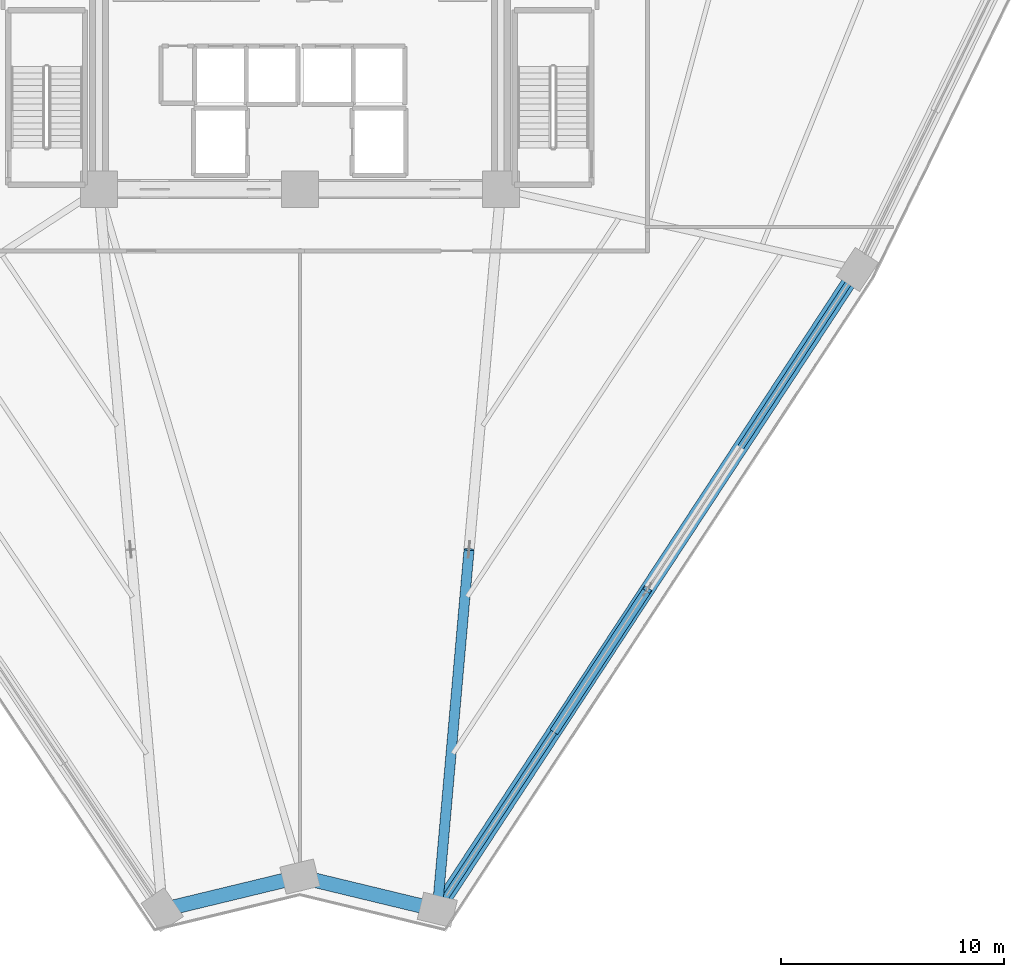
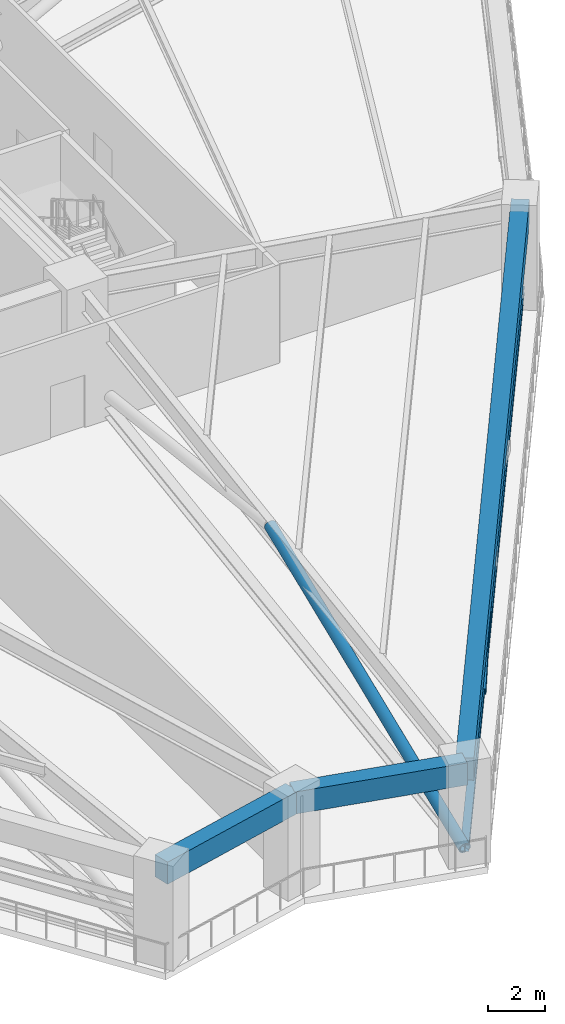
# One storey, part 3 of 25: 3 beams, 3 members.
"""IFC4 building model written with IfcOpenShell, lengths in metres."""

from ifc_helpers import new_model, si_unit, direction, frame, origin, origin_2d, place, context, subcontext, project, spatial, rectangle, hollow_rectangle, hollow_circle, i_section, extrude, source, transform, mapped, material, material_profile, profile_set, type_object, element, save


model = new_model("IFC4")

# Units and contexts
model_context = context("Model", 3, precision=1e-05, world=origin(), true_north=direction((0.0, 1.0)))
body_context = subcontext(model_context, "Body", "Model", "MODEL_VIEW")
ifc_project = project(units=[si_unit("LENGTHUNIT", "METRE"), si_unit("AREAUNIT", "SQUARE_METRE"), si_unit("VOLUMEUNIT", "CUBIC_METRE"), si_unit("PLANEANGLEUNIT", "RADIAN"), si_unit("MASSUNIT", "GRAM", prefix="KILO")], contexts=[model_context])

# Site, building, storey
site_placement = place(None, origin())
site = spatial("IfcSite", under=ifc_project, at=site_placement, CompositionType="ELEMENT")
building_placement = place(site_placement, origin())
building = spatial("IfcBuilding", under=site, at=building_placement, Name="Liaohun Quay Tower", CompositionType="ELEMENT")
storey_placement = place(building_placement, frame((0.0, 0.0, 93.0)))
storey = spatial("IfcBuildingStorey", under=building, at=storey_placement, Name="L24", CompositionType="ELEMENT", Elevation=93.0)

# Beams
ifc_material_1 = material(Name="Precast concrete C55", Category="concrete")
ifc_material_profile_1 = material_profile(ifc_material_1, rectangle(XDim=0.64990234375, YDim=0.949951171875, at=origin_2d()), Name="RC650x950")
ifc_profile_set_1 = profile_set([ifc_material_profile_1], Name="Precast concrete C55")
beam_type = type_object("IfcBeamType", Name="BM-SPD-Z1", PredefinedType="SPANDREL", material=ifc_profile_set_1)
shared_shape_1 = source(origin(), body_context, "Body", "SweptSolid", [
    extrude(rectangle(XDim=0.64990234375, YDim=0.949951171875, at=origin_2d()), origin(), (0.0, 0.0, 1.0), 34.297607421875),
])
beam_1_placement = place(storey_placement, frame((84.967041015625, 42.906982421875, 3.7451171875), z_axis=(-0.548495192784, -0.836153708054, 0.0), x_axis=(0.836153708054, -0.548495192784, 0.0)))
element("IfcBeam", 1, at=beam_1_placement, inside=storey, type_object=beam_type, Name="L24 Precast Spandrel Beam PC10-PC11", PredefinedType="SPANDREL", context=body_context, shape_type="MappedRepresentation", body=[
    mapped(shared_shape_1, transform((0.0, 0.0, 0.0), x_axis=(1.0, 0.0, 0.0), y_axis=(0.0, 1.0, 0.0), z_axis=(0.0, 0.0, 1.0), scale=1.0)),
])
shared_shape_2 = source(origin(), body_context, "Body", "SweptSolid", [
    extrude(rectangle(XDim=0.64990234375, YDim=0.949951171875, at=origin_2d()), origin(), (0.0, 0.0, 1.0), 6.331787109375),
])
beam_2_placement = place(storey_placement, frame((66.155029296875, 14.22900390625, 3.7451171875), z_axis=(-0.972068256908, 0.234698325326, 0.0), x_axis=(-0.234698325326, -0.972068256908, 0.0)))
element("IfcBeam", 2, at=beam_2_placement, inside=storey, type_object=beam_type, Name="L24 Precast Spandrel Beam PC11-PC12", PredefinedType="SPANDREL", context=body_context, shape_type="MappedRepresentation", body=[
    mapped(shared_shape_2, transform((0.0, 0.0, 0.0), x_axis=(1.0, 0.0, 0.0), y_axis=(0.0, 1.0, 0.0), z_axis=(0.0, 0.0, 1.0), scale=1.0)),
])
shared_shape_3 = source(origin(), body_context, "Body", "SweptSolid", [
    extrude(rectangle(XDim=0.64990234375, YDim=0.949951171875, at=origin_2d()), origin(), (0.0, 0.0, 1.0), 6.339111328125),
])
beam_3_placement = place(storey_placement, frame((60.0, 15.715087890625, 3.7451171875), z_axis=(-0.972059485876, -0.234734650016, 0.0), x_axis=(0.234734650016, -0.972059485876, 0.0)))
element("IfcBeam", 3, at=beam_3_placement, inside=storey, type_object=beam_type, Name="L24 Precast Spandrel Beam PC12-PC01", PredefinedType="SPANDREL", context=body_context, shape_type="MappedRepresentation", body=[
    mapped(shared_shape_3, transform((0.0, 0.0, 0.0), x_axis=(1.0, 0.0, 0.0), y_axis=(0.0, 1.0, 0.0), z_axis=(0.0, 0.0, 1.0), scale=1.0)),
])

# Members
ifc_material_2 = material(Name="Steel Q420D", Category="steel")
ifc_material_profile_2 = material_profile(ifc_material_2, hollow_circle(Radius=0.228515625, WallThickness=0.02001953125, at=origin_2d()), Name="CHS457x20")
ifc_profile_set_2 = profile_set([ifc_material_profile_2], Name="Steel Q420D")
member_type_1 = type_object("IfcMemberType", Name="MEM-OUT-DG1", PredefinedType="BRACE", material=ifc_profile_set_2)
shared_shape_4 = source(origin(), body_context, "Body", "SweptSolid", [
    extrude(hollow_circle(Radius=0.228515625, WallThickness=0.02001953125, at=origin_2d()), origin(), (0.0, 0.0, 1.0), 16.58642578125),
])
member_1_placement = place(storey_placement, frame((67.577880859375, 30.364013671875, 3.919921875), z_axis=(-0.085784538263, -0.972789009827, -0.215226753343), x_axis=(0.996134312306, -0.08784322311, 0.0)))
element("IfcMember", 4, at=member_1_placement, inside=storey, type_object=member_type_1, Name="L24 Outrigger Diagonal OD-06B", PredefinedType="BRACE", context=body_context, shape_type="MappedRepresentation", body=[
    mapped(shared_shape_4, transform((0.0, 0.0, 0.0), x_axis=(1.0, 0.0, 0.0), y_axis=(0.0, 1.0, 0.0), z_axis=(0.0, 0.0, 1.0), scale=1.0)),
])
ifc_material_3 = material(Name="Steel Q355D", Category="steel")
ifc_material_profile_3 = material_profile(ifc_material_3, i_section(OverallWidth=0.300048828125, OverallDepth=0.300048828125, WebThickness=0.010009765625, FlangeThickness=0.014892578125, at=origin_2d()), Name="HW300x300x10x15")
ifc_profile_set_3 = profile_set([ifc_material_profile_3], Name="Steel Q355D")
member_type_2 = type_object("IfcMemberType", Name="MEM-BLT-CHD", PredefinedType="CHORD", material=ifc_profile_set_3)
shared_shape_5 = source(origin(), body_context, "Body", "SweptSolid", [
    extrude(i_section(OverallWidth=0.300048828125, OverallDepth=0.300048828125, WebThickness=0.010009765625, FlangeThickness=0.014892578125, at=origin_2d()), origin(), (0.0, 0.0, 1.0), 34.297607421875),
])
member_2_placement = place(storey_placement, frame((84.967041015625, 42.906982421875, 0.35009765625), z_axis=(-0.548495192784, -0.836153708054, 0.0), x_axis=(0.836153708054, -0.548495192784, 0.0)))
element("IfcMember", 5, at=member_2_placement, inside=storey, type_object=member_type_2, Name="L24 Belt Truss Bottom Chord BC-1-06", PredefinedType="CHORD", context=body_context, shape_type="MappedRepresentation", body=[
    mapped(shared_shape_5, transform((0.0, 0.0, 0.0), x_axis=(1.0, 0.0, 0.0), y_axis=(0.0, 1.0, 0.0), z_axis=(0.0, 0.0, 1.0), scale=1.0)),
])
ifc_material_profile_4 = material_profile(ifc_material_2, hollow_rectangle(XDim=0.39990234375, YDim=0.39990234375, WallThickness=0.02001953125, at=origin_2d()), Name="SHS400x400x20")
ifc_profile_set_4 = profile_set([ifc_material_profile_4], Name="Steel Q420D")
member_type_3 = type_object("IfcMemberType", Name="MEM-BLT-DG1", PredefinedType="BRACE", material=ifc_profile_set_4)
shared_shape_6 = source(origin(), body_context, "Body", "SweptSolid", [
    extrude(hollow_rectangle(XDim=0.39990234375, YDim=0.39990234375, WallThickness=0.02001953125, at=origin_2d()), origin(), (0.0, 0.0, 1.0), 8.347412109375),
])
member_3_placement = place(storey_placement, frame((75.56103515625, 28.568115234375, 3.919921875), z_axis=(-0.495834023049, -0.75581565644, -0.427657941663), x_axis=(0.836134167456, -0.548524980299, 0.0)))
element("IfcMember", 6, at=member_3_placement, inside=storey, type_object=member_type_3, Name="L24 Belt Truss Diagonal BD-06B", PredefinedType="BRACE", context=body_context, shape_type="MappedRepresentation", body=[
    mapped(shared_shape_6, transform((0.0, 0.0, 0.0), x_axis=(1.0, 0.0, 0.0), y_axis=(0.0, 1.0, 0.0), z_axis=(0.0, 0.0, 1.0), scale=1.0)),
])

save(model, "model.ifc")
